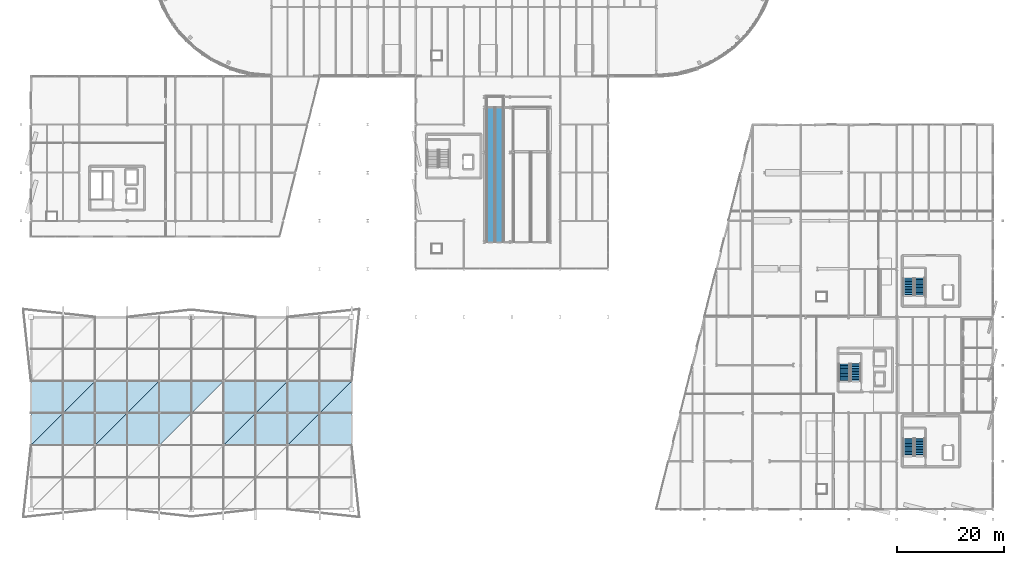
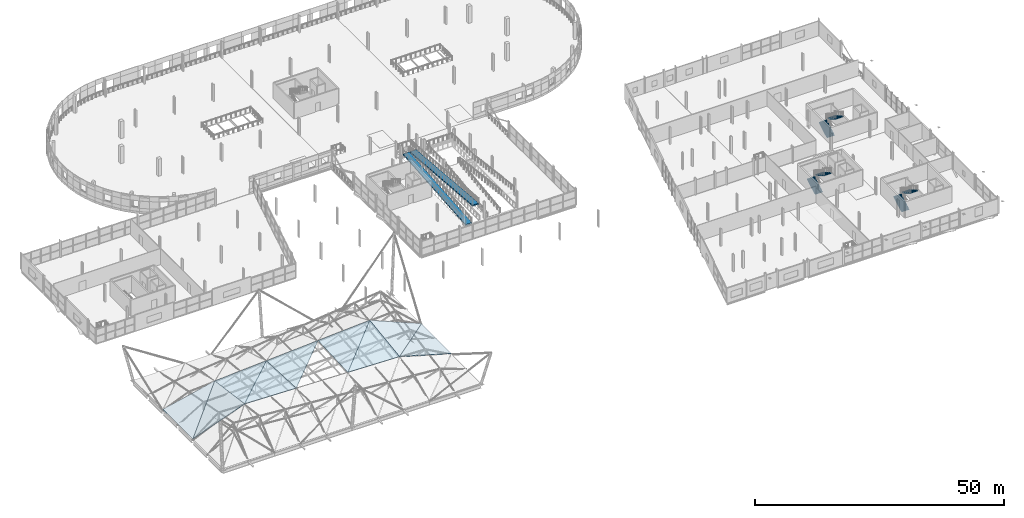
# One storey, part 118 of 132: 9 roofs, 6 stair flights, 2 ramp flights, 4 elements without a shape of their own.
"""IFC4 building model written with IfcOpenShell, lengths in metres."""

from ifc_helpers import new_model, si_unit, direction, frame, origin, place, context, subcontext, project, spatial, polyline, outline, extrude, material, layer, layer_set, type_object, element, aggregate, save


model = new_model("IFC4")

# Units and contexts
model_context = context("Model", 3, precision=1e-05, world=origin(), true_north=direction((0.0, 1.0)))
body_context = subcontext(model_context, "Body", "Model", "MODEL_VIEW")
ifc_project = project(units=[si_unit("LENGTHUNIT", "METRE"), si_unit("AREAUNIT", "SQUARE_METRE"), si_unit("VOLUMEUNIT", "CUBIC_METRE"), si_unit("PLANEANGLEUNIT", "RADIAN"), si_unit("MASSUNIT", "GRAM", prefix="KILO")], contexts=[model_context])

# Site, building, storey
site_placement = place(None, origin())
site = spatial("IfcSite", under=ifc_project, at=site_placement, CompositionType="ELEMENT")
building_placement = place(site_placement, origin())
building = spatial("IfcBuilding", under=site, at=building_placement, Name="Deido Ridge Mobility Hub", CompositionType="ELEMENT")
storey_placement = place(building_placement, frame((0.0, 0.0, 8.39990234375)))
storey = spatial("IfcBuildingStorey", under=building, at=storey_placement, Name="L02", CompositionType="ELEMENT", Elevation=8.39990234375)

# Stair, stair flights
ifc_material_1 = material(Name="Concrete C35/45", Category="concrete")
stair_type = type_object("IfcStairType", Name="ST-CORE-HALF-1520", PredefinedType="HALF_TURN_STAIR", material=ifc_material_1)
stair_1_placement = place(storey_placement, origin())
stair_1 = element("IfcStair", 1, at=stair_1_placement, inside=storey, type_object=stair_type, Name="Protected exit stair ST2 (L02)", PredefinedType="HALF_TURN_STAIR")
stair_flight_type_1 = type_object("IfcStairFlightType", Name="SFL-RC-1520", PredefinedType="STRAIGHT", material=ifc_material_1)
stair_flight_1_placement = place(storey_placement, frame((164.2900390625, 39.949951171875, 0.0), z_axis=(0.0, 0.0, 1.0), x_axis=(0.0, 1.0, 0.0)))
stair_flight_1 = element("IfcStairFlight", 2, at=stair_flight_1_placement, type_object=stair_flight_type_1, Name="ST2 flight 1", NumberOfRisers=12, NumberOfTreads=11, PredefinedType="STRAIGHT", RiserHeight=0.175, TreadLength=0.3, context=body_context, shape_type="SweptSolid", body=[
    extrude(outline(polyline([(0.0, 0.0), (0.0, 0.175048828125), (0.300048828125, 0.175048828125), (0.300048828125, 0.35009765625), (0.60009765625, 0.35009765625), (0.60009765625, 0.52490234375), (0.89990234375, 0.52490234375), (0.89990234375, 0.699951171875), (1.199951171875, 0.699951171875), (1.199951171875, 0.875), (1.5, 0.875), (1.5, 1.050048828125), (1.800048828125, 1.050048828125), (1.800048828125, 1.22509765625), (2.10009765625, 1.22509765625), (2.10009765625, 1.39990234375), (2.39990234375, 1.39990234375), (2.39990234375, 1.574951171875), (2.699951171875, 1.574951171875), (2.699951171875, 1.75), (3.0, 1.75), (3.0, 1.925048828125), (3.300048828125, 1.925048828125), (3.300048828125, 2.10009765625), (3.300048828125, 1.716796875), (0.357177734375, 0.0), (0.0, 0.0)])), frame((0.0, 0.89013671875, 0.0), z_axis=(0.0, -1.0, 0.0), x_axis=(1.0, 0.0, 0.0)), (0.0, 0.0, 1.0), 1.780029296875),
])
stair_flight_2_placement = place(storey_placement, frame((166.31005859375, 43.300048828125, 2.10009765625), z_axis=(0.0, 0.0, 1.0), x_axis=(0.0, -1.0, 0.0)))
stair_flight_2 = element("IfcStairFlight", 3, at=stair_flight_2_placement, type_object=stair_flight_type_1, Name="ST2 flight 2", NumberOfRisers=12, NumberOfTreads=11, PredefinedType="STRAIGHT", RiserHeight=0.175, TreadLength=0.3, context=body_context, shape_type="SweptSolid", body=[
    extrude(outline(polyline([(0.0, 0.0), (0.0, 0.175048828125), (0.300048828125, 0.175048828125), (0.300048828125, 0.35009765625), (0.60009765625, 0.35009765625), (0.60009765625, 0.52490234375), (0.89990234375, 0.52490234375), (0.89990234375, 0.699951171875), (1.199951171875, 0.699951171875), (1.199951171875, 0.875), (1.5, 0.875), (1.5, 1.050048828125), (1.800048828125, 1.050048828125), (1.800048828125, 1.22509765625), (2.10009765625, 1.22509765625), (2.10009765625, 1.39990234375), (2.39990234375, 1.39990234375), (2.39990234375, 1.574951171875), (2.699951171875, 1.574951171875), (2.699951171875, 1.75), (3.0, 1.75), (3.0, 1.925048828125), (3.300048828125, 1.925048828125), (3.300048828125, 2.10009765625), (3.300048828125, 1.716796875), (0.357177734375, 0.0), (0.0, 0.0)])), frame((0.0, 0.89013671875, 0.0), z_axis=(0.0, -1.0, 0.0), x_axis=(1.0, 0.0, 0.0)), (0.0, 0.0, 1.0), 1.780029296875),
])
aggregate(stair_1, [stair_flight_1, stair_flight_2])

stair_2_placement = place(storey_placement, origin())
stair_2 = element("IfcStair", 4, at=stair_2_placement, inside=storey, type_object=stair_type, Name="Protected exit stair ST3 (L02)", PredefinedType="HALF_TURN_STAIR")
stair_flight_3_placement = place(storey_placement, frame((152.2900390625, 23.949951171875, 0.0), z_axis=(0.0, 0.0, 1.0), x_axis=(0.0, 1.0, 0.0)))
stair_flight_3 = element("IfcStairFlight", 5, at=stair_flight_3_placement, type_object=stair_flight_type_1, Name="ST3 flight 1", NumberOfRisers=12, NumberOfTreads=11, PredefinedType="STRAIGHT", RiserHeight=0.175, TreadLength=0.3, context=body_context, shape_type="SweptSolid", body=[
    extrude(outline(polyline([(0.0, 0.0), (0.0, 0.175048828125), (0.300048828125, 0.175048828125), (0.300048828125, 0.35009765625), (0.60009765625, 0.35009765625), (0.60009765625, 0.52490234375), (0.89990234375, 0.52490234375), (0.89990234375, 0.699951171875), (1.199951171875, 0.699951171875), (1.199951171875, 0.875), (1.5, 0.875), (1.5, 1.050048828125), (1.800048828125, 1.050048828125), (1.800048828125, 1.22509765625), (2.10009765625, 1.22509765625), (2.10009765625, 1.39990234375), (2.39990234375, 1.39990234375), (2.39990234375, 1.574951171875), (2.699951171875, 1.574951171875), (2.699951171875, 1.75), (3.0, 1.75), (3.0, 1.925048828125), (3.300048828125, 1.925048828125), (3.300048828125, 2.10009765625), (3.300048828125, 1.716796875), (0.357177734375, 0.0), (0.0, 0.0)])), frame((0.0, 0.89013671875, 0.0), z_axis=(0.0, -1.0, 0.0), x_axis=(1.0, 0.0, 0.0)), (0.0, 0.0, 1.0), 1.780029296875),
])
stair_flight_4_placement = place(storey_placement, frame((154.31005859375, 27.300048828125, 2.10009765625), z_axis=(0.0, 0.0, 1.0), x_axis=(0.0, -1.0, 0.0)))
stair_flight_4 = element("IfcStairFlight", 6, at=stair_flight_4_placement, type_object=stair_flight_type_1, Name="ST3 flight 2", NumberOfRisers=12, NumberOfTreads=11, PredefinedType="STRAIGHT", RiserHeight=0.175, TreadLength=0.3, context=body_context, shape_type="SweptSolid", body=[
    extrude(outline(polyline([(0.0, 0.0), (0.0, 0.175048828125), (0.300048828125, 0.175048828125), (0.300048828125, 0.35009765625), (0.60009765625, 0.35009765625), (0.60009765625, 0.52490234375), (0.89990234375, 0.52490234375), (0.89990234375, 0.699951171875), (1.199951171875, 0.699951171875), (1.199951171875, 0.875), (1.5, 0.875), (1.5, 1.050048828125), (1.800048828125, 1.050048828125), (1.800048828125, 1.22509765625), (2.10009765625, 1.22509765625), (2.10009765625, 1.39990234375), (2.39990234375, 1.39990234375), (2.39990234375, 1.574951171875), (2.699951171875, 1.574951171875), (2.699951171875, 1.75), (3.0, 1.75), (3.0, 1.925048828125), (3.300048828125, 1.925048828125), (3.300048828125, 2.10009765625), (3.300048828125, 1.716796875), (0.357177734375, 0.0), (0.0, 0.0)])), frame((0.0, 0.89013671875, 0.0), z_axis=(0.0, -1.0, 0.0), x_axis=(1.0, 0.0, 0.0)), (0.0, 0.0, 1.0), 1.780029296875),
])
aggregate(stair_2, [stair_flight_3, stair_flight_4])

stair_3_placement = place(storey_placement, origin())
stair_3 = element("IfcStair", 7, at=stair_3_placement, inside=storey, type_object=stair_type, Name="Protected exit stair ST1 (L02)", PredefinedType="HALF_TURN_STAIR")
stair_flight_type_2 = type_object("IfcStairFlightType", Name="SFL-RC-1560", PredefinedType="STRAIGHT", material=ifc_material_1)
stair_flight_5_placement = place(storey_placement, frame((164.2900390625, 9.949951171875, 0.0), z_axis=(0.0, 0.0, 1.0), x_axis=(0.0, 1.0, 0.0)))
stair_flight_5 = element("IfcStairFlight", 8, at=stair_flight_5_placement, type_object=stair_flight_type_2, Name="ST1 flight 1", NumberOfRisers=12, NumberOfTreads=11, PredefinedType="STRAIGHT", RiserHeight=0.175, TreadLength=0.3, context=body_context, shape_type="SweptSolid", body=[
    extrude(outline(polyline([(0.0, 0.0), (0.0, 0.175048828125), (0.300048828125, 0.175048828125), (0.300048828125, 0.35009765625), (0.60009765625, 0.35009765625), (0.60009765625, 0.52490234375), (0.89990234375, 0.52490234375), (0.89990234375, 0.699951171875), (1.199951171875, 0.699951171875), (1.199951171875, 0.875), (1.5, 0.875), (1.5, 1.050048828125), (1.800048828125, 1.050048828125), (1.800048828125, 1.22509765625), (2.10009765625, 1.22509765625), (2.10009765625, 1.39990234375), (2.39990234375, 1.39990234375), (2.39990234375, 1.574951171875), (2.699951171875, 1.574951171875), (2.699951171875, 1.75), (3.0, 1.75), (3.0, 1.925048828125), (3.300048828125, 1.925048828125), (3.300048828125, 2.10009765625), (3.300048828125, 1.716796875), (0.357177734375, 0.0), (0.0, 0.0)])), frame((0.0, 0.89013671875, 0.0), z_axis=(0.0, -1.0, 0.0), x_axis=(1.0, 0.0, 0.0)), (0.0, 0.0, 1.0), 1.780029296875),
])
stair_flight_6_placement = place(storey_placement, frame((166.31005859375, 13.300048828125, 2.10009765625), z_axis=(0.0, 0.0, 1.0), x_axis=(0.0, -1.0, 0.0)))
stair_flight_6 = element("IfcStairFlight", 9, at=stair_flight_6_placement, type_object=stair_flight_type_2, Name="ST1 flight 2", NumberOfRisers=12, NumberOfTreads=11, PredefinedType="STRAIGHT", RiserHeight=0.175, TreadLength=0.3, context=body_context, shape_type="SweptSolid", body=[
    extrude(outline(polyline([(0.0, 0.0), (0.0, 0.175048828125), (0.300048828125, 0.175048828125), (0.300048828125, 0.35009765625), (0.60009765625, 0.35009765625), (0.60009765625, 0.52490234375), (0.89990234375, 0.52490234375), (0.89990234375, 0.699951171875), (1.199951171875, 0.699951171875), (1.199951171875, 0.875), (1.5, 0.875), (1.5, 1.050048828125), (1.800048828125, 1.050048828125), (1.800048828125, 1.22509765625), (2.10009765625, 1.22509765625), (2.10009765625, 1.39990234375), (2.39990234375, 1.39990234375), (2.39990234375, 1.574951171875), (2.699951171875, 1.574951171875), (2.699951171875, 1.75), (3.0, 1.75), (3.0, 1.925048828125), (3.300048828125, 1.925048828125), (3.300048828125, 2.10009765625), (3.300048828125, 1.716796875), (0.357177734375, 0.0), (0.0, 0.0)])), frame((0.0, 0.89013671875, 0.0), z_axis=(0.0, -1.0, 0.0), x_axis=(1.0, 0.0, 0.0)), (0.0, 0.0, 1.0), 1.780029296875),
])
aggregate(stair_3, [stair_flight_5, stair_flight_6])

# Ramp, ramp flights
ramp_type = type_object("IfcRampType", Name="RAMP-CYC-STRAIGHT", PredefinedType="STRAIGHT_RUN_RAMP", material=ifc_material_1)
ramp_placement = place(storey_placement, origin())
ramp = element("IfcRamp", 10, at=ramp_placement, inside=storey, type_object=ramp_type, Name="Cycle and accessible ramp CR1 L02", PredefinedType="STRAIGHT_RUN_RAMP")
ifc_layer_1 = layer(ifc_material_1, 0.284912109375, Name="Concrete C35/45")
ifc_layer_set_1 = layer_set([ifc_layer_1], Name="Concrete C35/45")
ramp_flight_type = type_object("IfcRampFlightType", Name="RFL-CYC-220", PredefinedType="STRAIGHT", material=ifc_layer_set_1)
ramp_flight_1_placement = place(storey_placement, frame((86.0, 50.0, 0.0), z_axis=(0.0, 0.0, 1.0), x_axis=(0.0, 1.0, 0.0)))
ramp_flight_1 = element("IfcRampFlight", 11, at=ramp_flight_1_placement, type_object=ramp_flight_type, Name="Cycle ramp flight L02-1", PredefinedType="STRAIGHT", context=body_context, shape_type="SweptSolid", body=[
    extrude(outline(polyline([(0.0, 0.0), (0.0, -0.284912109375), (25.199951171875, 1.815185546875), (25.199951171875, 2.10009765625), (0.0, 0.0)])), frame((0.0, 0.72509765625, 0.0), z_axis=(0.0, -1.0, 0.0), x_axis=(1.0, 0.0, 0.0)), (0.0, 0.0, 1.0), 1.449951171875),
])
ramp_flight_2_placement = place(storey_placement, frame((87.60009765625, 75.199951171875, 2.10009765625), z_axis=(0.0, 0.0, 1.0), x_axis=(0.0, -1.0, 0.0)))
ramp_flight_2 = element("IfcRampFlight", 12, at=ramp_flight_2_placement, type_object=ramp_flight_type, Name="Cycle ramp flight L02-2", PredefinedType="STRAIGHT", context=body_context, shape_type="SweptSolid", body=[
    extrude(outline(polyline([(0.0, 0.0), (0.0, -0.284912109375), (25.199951171875, 1.815185546875), (25.199951171875, 2.10009765625), (0.0, 0.0)])), frame((0.0, 0.72509765625, 0.0), z_axis=(0.0, -1.0, 0.0), x_axis=(1.0, 0.0, 0.0)), (0.0, 0.0, 1.0), 1.449951171875),
])
aggregate(ramp, [ramp_flight_1, ramp_flight_2])

# Roofs
ifc_material_2 = material(Name="PTFE coated glass-fibre architectural membrane", Category="glass")
ifc_layer_2 = layer(ifc_material_2, 0.080078125, Name="PTFE coated glass-fibre architectural membrane")
ifc_layer_set_2 = layer_set([ifc_layer_2], Name="PTFE coated glass-fibre architectural membrane")
roof_type = type_object("IfcRoofType", Name="ROOF-CABLE-FREEFORM", PredefinedType="FREEFORM", material=ifc_layer_set_2)
roof_1_placement = place(storey_placement, frame((0.0, 12.0, 0.295166015625), z_axis=(-0.342134847557, 0.127228022534, 0.930997731667), x_axis=(0.938625476199, 0.0, 0.344937987805)))
element("IfcRoof", 13, at=roof_1_placement, inside=storey, type_object=roof_type, Name="PTFE saddle canopy sector 1A", PredefinedType="FREEFORM", context=body_context, shape_type="SweptSolid", body=[
    extrude(outline(polyline([(0.0, 0.0), (12.784651923787846, 0.0), (12.218990677673531, 12.098317032646893), (0.0, 0.0)])), origin(), (0.0, 0.0, -1.0), 0.080078125),
])
roof_2_placement = place(storey_placement, frame((0.0, 12.0, 0.295166015625), z_axis=(-0.224920313956, 0.0, 0.974377161252), x_axis=(0.697871408955, 0.697871408955, 0.161093119426)))
element("IfcRoof", 14, at=roof_2_placement, inside=storey, type_object=roof_type, Name="PTFE saddle canopy sector 1B", PredefinedType="FREEFORM", context=body_context, shape_type="SweptSolid", body=[
    extrude(outline(polyline([(0.0, 0.0), (17.19514490207938, -1.4988010832439613e-15), (8.374456907460335, 8.594676928488347), (0.0, 0.0)])), origin(), (0.0, 0.0, -1.0), 0.080078125),
])
roof_3_placement = place(storey_placement, frame((12.0, 12.0, 4.705078125), z_axis=(0.027183431555, 0.045488567452, 0.998594938541), x_axis=(0.999629695867, 0.0, -0.027211599387)))
element("IfcRoof", 15, at=roof_3_placement, inside=storey, type_object=roof_type, Name="PTFE saddle canopy sector 2A", PredefinedType="FREEFORM", context=body_context, shape_type="SweptSolid", body=[
    extrude(outline(polyline([(0.0, 0.0), (12.004445295709473, 1.734723475976807e-18), (12.019319995667358, 12.012434559227462), (0.0, 0.0)])), origin(), (0.0, 0.0, -1.0), 0.080078125),
])
roof_4_placement = place(storey_placement, frame((12.0, 12.0, 4.705078125), z_axis=(-0.063168759043, 0.13512883901, 0.988812370851), x_axis=(0.706172410889, 0.706172410889, -0.051391168493)))
element("IfcRoof", 16, at=roof_4_placement, inside=storey, type_object=roof_type, Name="PTFE saddle canopy sector 2B", PredefinedType="FREEFORM", context=body_context, shape_type="SweptSolid", body=[
    extrude(outline(polyline([(0.0, 0.0), (16.993017307057958, 5.689893001203927e-16), (8.558344926457659, 8.569946311825175), (0.0, 0.0)])), origin(), (0.0, 0.0, -1.0), 0.080078125),
])
roof_5_placement = place(storey_placement, frame((24.0, 12.0, 4.37841796875), z_axis=(-0.063687729233, 0.045413001832, 0.996936072379), x_axis=(0.707047387883, 0.707047387883, 0.012960809255)))
element("IfcRoof", 17, at=roof_5_placement, inside=storey, type_object=roof_type, Name="PTFE saddle canopy sector 3B", PredefinedType="FREEFORM", context=body_context, shape_type="SweptSolid", body=[
    extrude(outline(polyline([(0.0, 0.0), (16.971988307509328, -5.238864897449957e-16), (8.477483876291222, 8.510644653822848), (0.0, 0.0)])), origin(), (0.0, 0.0, -1.0), 0.080078125),
])
roof_6_placement = place(storey_placement, frame((36.0, 12.0, 4.0517578125), z_axis=(0.026961194027, -0.135350030106, 0.990430948308), x_axis=(0.999629695867, 0.0, -0.027211599387)))
element("IfcRoof", 18, at=roof_6_placement, inside=storey, type_object=roof_type, Name="PTFE saddle canopy sector 4A", PredefinedType="FREEFORM", context=body_context, shape_type="SweptSolid", body=[
    extrude(outline(polyline([(0.0, 0.0), (12.004445295709473, -6.938893903907228e-18), (11.959821195835822, 12.111451455440836), (0.0, 0.0)])), origin(), (0.0, 0.0, -1.0), 0.080078125),
])
roof_7_placement = place(storey_placement, frame((36.0, 12.0, 4.0517578125), z_axis=(-0.063687729233, -0.045413001832, 0.996936072379), x_axis=(0.70499912102, 0.70499912102, 0.077152308593)))
element("IfcRoof", 19, at=roof_7_placement, inside=storey, type_object=roof_type, Name="PTFE saddle canopy sector 4B", PredefinedType="FREEFORM", context=body_context, shape_type="SweptSolid", body=[
    extrude(outline(polyline([(0.0, 0.0), (17.021297817553858, 4.85722573273506e-16), (8.50216328499246, 8.48598991112689), (0.0, 0.0)])), origin(), (0.0, 0.0, -1.0), 0.080078125),
])
roof_8_placement = place(storey_placement, frame((48.0, 12.0, 3.72509765625), z_axis=(0.274821887439, 0.0, 0.96149515349), x_axis=(0.96149515349, 0.0, -0.274821887439)))
element("IfcRoof", 20, at=roof_8_placement, inside=storey, type_object=roof_type, Name="PTFE saddle canopy sector 5A", PredefinedType="FREEFORM", context=body_context, shape_type="SweptSolid", body=[
    extrude(outline(polyline([(0.0, 0.0), (12.48056212914148, 0.0), (12.48056212914148, 12.0), (0.0, 0.0)])), origin(), (0.0, 0.0, -1.0), 0.080078125),
])
roof_9_placement = place(storey_placement, frame((48.0, 12.0, 3.72509765625), z_axis=(0.386130304518, -0.124898259436, 0.913949567932), x_axis=(0.693092494909, 0.693092494909, -0.198104989847)))
element("IfcRoof", 21, at=roof_9_placement, inside=storey, type_object=roof_type, Name="PTFE saddle canopy sector 5B", PredefinedType="FREEFORM", context=body_context, shape_type="SweptSolid", body=[
    extrude(outline(polyline([(0.0, 0.0), (17.31370645065234, 4.440892098500626e-16), (7.992239036364699, 9.100184770288884), (0.0, 0.0)])), origin(), (0.0, 0.0, -1.0), 0.080078125),
])

save(model, "model.ifc")
